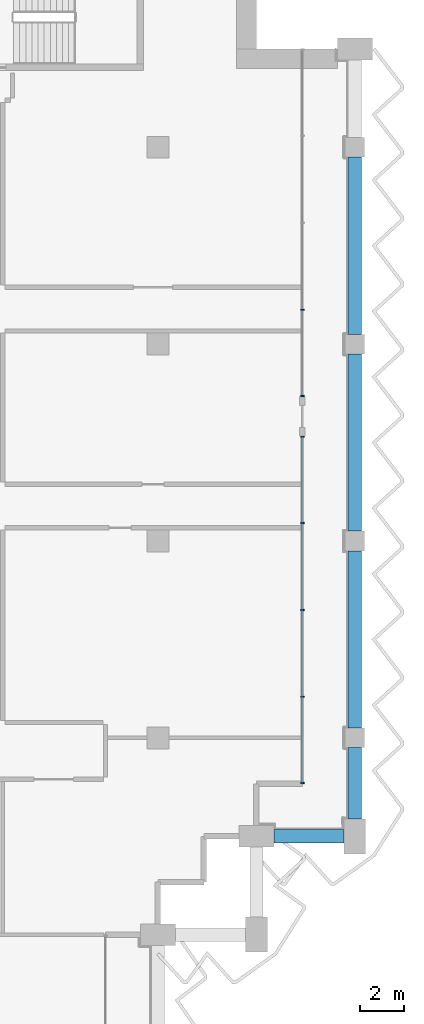
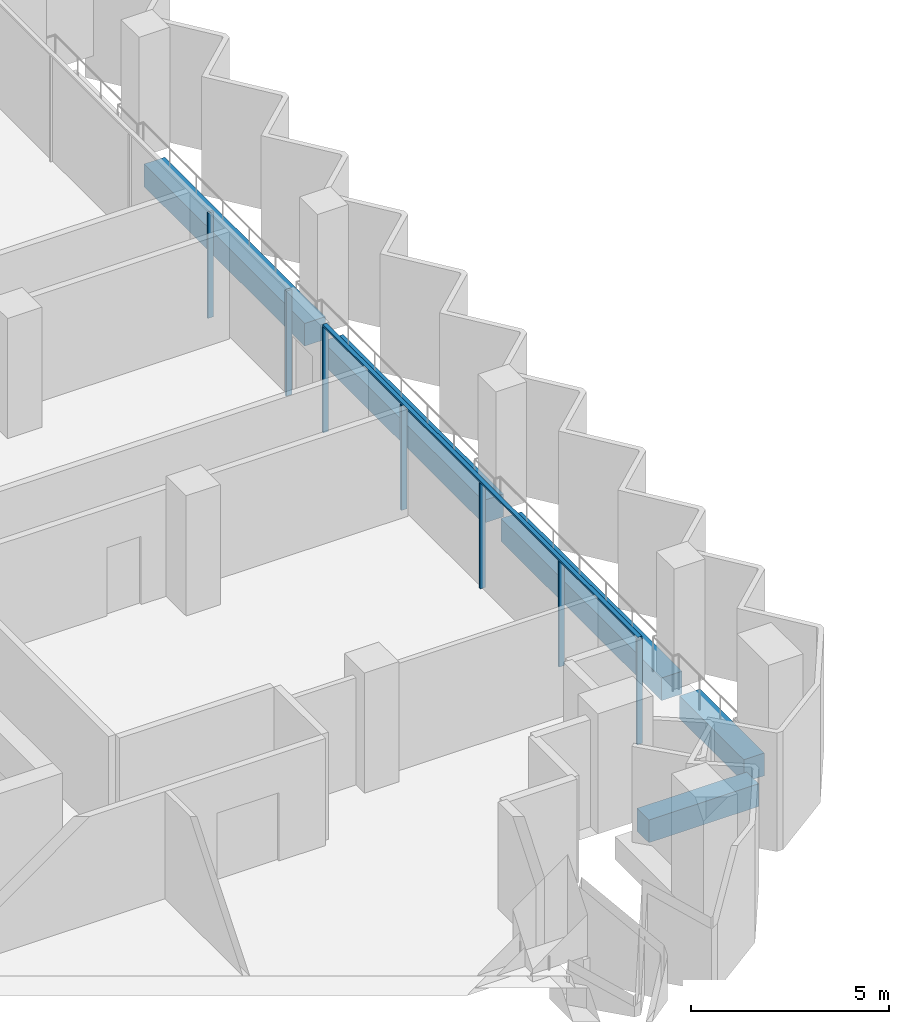
# One storey, part 4 of 16: 8 members, 5 beams, 2 elements without a shape of their own.
"""IFC4 building model written with IfcOpenShell, lengths in metres."""

from ifc_helpers import new_model, si_unit, direction, frame, origin, origin_2d, place, context, subcontext, project, spatial, rectangle, extrude, material, material_profile, profile_set, type_object, element, aggregate, save


model = new_model("IFC4")

# Units and contexts
model_context = context("Model", 3, precision=1e-05, world=origin(), true_north=direction((0.0, 1.0)))
body_context = subcontext(model_context, "Body", "Model", "MODEL_VIEW")
ifc_project = project(units=[si_unit("LENGTHUNIT", "METRE"), si_unit("AREAUNIT", "SQUARE_METRE"), si_unit("VOLUMEUNIT", "CUBIC_METRE"), si_unit("PLANEANGLEUNIT", "RADIAN"), si_unit("MASSUNIT", "GRAM", prefix="KILO")], contexts=[model_context])

# Site, building, storey
site_placement = place(None, origin())
site = spatial("IfcSite", under=ifc_project, at=site_placement, CompositionType="ELEMENT")
building_placement = place(site_placement, origin())
building = spatial("IfcBuilding", under=site, at=building_placement, Name="Hunhe Ridgeline Campus", CompositionType="ELEMENT")
storey_placement = place(building_placement, frame((0.0, 0.0, 242.89990234375)))
storey = spatial("IfcBuildingStorey", under=building, at=storey_placement, Name="L62", CompositionType="ELEMENT", Elevation=242.89990234375)

# Curtain wall, members
ifc_material_1 = material(Name="Aluminium 6063", Category="aluminium")
curtain_wall_type = type_object("IfcCurtainWallType", Name="Curtain wall CW-1", PredefinedType="NOTDEFINED", material=ifc_material_1)
curtain_wall_1_placement = place(storey_placement, origin())
curtain_wall_1 = element("IfcCurtainWall", 1, at=curtain_wall_1_placement, inside=storey, type_object=curtain_wall_type, Name="Curtain wall 12", PredefinedType="NOTDEFINED")
ifc_material_profile_1 = material_profile(ifc_material_1, rectangle(XDim=0.159912109375, YDim=0.06005859375, at=origin_2d()))
ifc_profile_set_1 = profile_set([ifc_material_profile_1], Name="Aluminium 6063")
member_type_1 = type_object("IfcMemberType", Name="CW-1 aluminium mullion", PredefinedType="MULLION", material=ifc_profile_set_1)
member_1_placement = place(storey_placement, frame((51.59912109375, 60.930908203125, 0.0), z_axis=(0.0, 0.0, 1.0), x_axis=(-1.0, 0.0, 0.0)))
member_1 = element("IfcMember", 2, at=member_1_placement, type_object=member_type_1, Name="CW-1 mullion 1", PredefinedType="MULLION", context=body_context, shape_type="SweptSolid", body=[
    extrude(rectangle(XDim=0.159912109375, YDim=0.06005859375, at=origin_2d()), origin(), (0.0, 0.0, 1.0), 3.239990234375),
])
member_2_placement = place(storey_placement, frame((51.59912109375, 64.8759765625, 0.0), z_axis=(0.0, 0.0, 1.0), x_axis=(-1.0, 0.0, 0.0)))
member_2 = element("IfcMember", 3, at=member_2_placement, type_object=member_type_1, Name="CW-1 mullion 2", PredefinedType="MULLION", context=body_context, shape_type="SweptSolid", body=[
    extrude(rectangle(XDim=0.159912109375, YDim=0.06005859375, at=origin_2d()), origin(), (0.0, 0.0, 1.0), 3.239990234375),
])
member_3_placement = place(storey_placement, frame((51.59912109375, 68.850830078125, 0.0), z_axis=(0.0, 0.0, 1.0), x_axis=(-1.0, 0.0, 0.0)))
member_3 = element("IfcMember", 4, at=member_3_placement, type_object=member_type_1, Name="CW-1 mullion 3", PredefinedType="MULLION", context=body_context, shape_type="SweptSolid", body=[
    extrude(rectangle(XDim=0.159912109375, YDim=0.06005859375, at=origin_2d()), origin(), (0.0, 0.0, 1.0), 3.239990234375),
])
member_4_placement = place(storey_placement, frame((51.59912109375, 72.82568359375, 0.0), z_axis=(0.0, 0.0, 1.0), x_axis=(-1.0, 0.0, 0.0)))
member_4 = element("IfcMember", 5, at=member_4_placement, type_object=member_type_1, Name="CW-1 mullion 4", PredefinedType="MULLION", context=body_context, shape_type="SweptSolid", body=[
    extrude(rectangle(XDim=0.159912109375, YDim=0.06005859375, at=origin_2d()), origin(), (0.0, 0.0, 1.0), 3.239990234375),
])
member_5_placement = place(storey_placement, frame((51.59912109375, 76.7705078125, 0.0), z_axis=(0.0, 0.0, 1.0), x_axis=(-1.0, 0.0, 0.0)))
member_5 = element("IfcMember", 6, at=member_5_placement, type_object=member_type_1, Name="CW-1 mullion 5", PredefinedType="MULLION", context=body_context, shape_type="SweptSolid", body=[
    extrude(rectangle(XDim=0.159912109375, YDim=0.06005859375, at=origin_2d()), origin(), (0.0, 0.0, 1.0), 3.239990234375),
])

curtain_wall_2_placement = place(storey_placement, origin())
curtain_wall_2 = element("IfcCurtainWall", 7, at=curtain_wall_2_placement, inside=storey, type_object=curtain_wall_type, Name="Curtain wall 13", PredefinedType="NOTDEFINED")
member_6_placement = place(storey_placement, frame((51.59912109375, 78.630615234375, 0.0), z_axis=(0.0, 0.0, 1.0), x_axis=(-1.0, 0.0, 0.0)))
member_6 = element("IfcMember", 8, at=member_6_placement, type_object=member_type_1, Name="CW-1 mullion 1", PredefinedType="MULLION", context=body_context, shape_type="SweptSolid", body=[
    extrude(rectangle(XDim=0.159912109375, YDim=0.06005859375, at=origin_2d()), origin(), (0.0, 0.0, 1.0), 3.239990234375),
])
member_7_placement = place(storey_placement, frame((51.59912109375, 82.575439453125, 0.0), z_axis=(0.0, 0.0, 1.0), x_axis=(-1.0, 0.0, 0.0)))
member_7 = element("IfcMember", 9, at=member_7_placement, type_object=member_type_1, Name="CW-1 mullion 2", PredefinedType="MULLION", context=body_context, shape_type="SweptSolid", body=[
    extrude(rectangle(XDim=0.159912109375, YDim=0.06005859375, at=origin_2d()), origin(), (0.0, 0.0, 1.0), 3.239990234375),
])
aggregate(curtain_wall_2, [member_6, member_7])

# Member
ifc_material_profile_2 = material_profile(ifc_material_1, rectangle(XDim=0.1201171875, YDim=0.06005859375, at=origin_2d()))
ifc_profile_set_2 = profile_set([ifc_material_profile_2], Name="Aluminium 6063")
member_type_2 = type_object("IfcMemberType", Name="CW-1 aluminium transom", PredefinedType="USERDEFINED", material=ifc_profile_set_2)
member_8_placement = place(storey_placement, frame((51.59912109375, 60.90087890625, 3.27001953125), z_axis=(0.0, 1.0, 0.0), x_axis=(-1.0, 0.0, 0.0)))
member_8 = element("IfcMember", 10, at=member_8_placement, type_object=member_type_2, Name="CW-1 transom 1", ObjectType="TRANSOM", PredefinedType="USERDEFINED", context=body_context, shape_type="SweptSolid", body=[
    extrude(rectangle(XDim=0.1201171875, YDim=0.06005859375, at=origin_2d()), origin(), (0.0, 0.0, 1.0), 15.899658203125),
])

aggregate(curtain_wall_1, [member_8, member_1, member_2, member_3, member_4, member_5])

# Beams
ifc_material_2 = material(Name="Concrete C50", Category="concrete")
ifc_material_profile_3 = material_profile(ifc_material_2, rectangle(XDim=0.60009765625, YDim=0.699951171875, at=origin_2d()))
ifc_profile_set_3 = profile_set([ifc_material_profile_3], Name="Concrete C50")
beam_type = type_object("IfcBeamType", Name="RC spandrel beam 600x700 Concrete C50", PredefinedType="SPANDREL", material=ifc_profile_set_3)
beam_1_placement = place(storey_placement, frame((50.300048828125, 58.5, -0.599853515625), z_axis=(1.0, 0.0, 0.0), x_axis=(0.0, 1.0, 0.0)))
element("IfcBeam", 11, at=beam_1_placement, inside=storey, type_object=beam_type, Name="Spandrel beam B4-12 L62", PredefinedType="SPANDREL", context=body_context, shape_type="SweptSolid", body=[
    extrude(rectangle(XDim=0.60009765625, YDim=0.699951171875, at=origin_2d()), origin(), (0.0, 0.0, 1.0), 3.199951171875),
])
beam_2_placement = place(storey_placement, frame((54.0, 59.300048828125, -0.599853515625), z_axis=(0.0, 1.0, 0.0), x_axis=(-1.0, 0.0, 0.0)))
element("IfcBeam", 12, at=beam_2_placement, inside=storey, type_object=beam_type, Name="Spandrel beam B4-13 L62", PredefinedType="SPANDREL", context=body_context, shape_type="SweptSolid", body=[
    extrude(rectangle(XDim=0.60009765625, YDim=0.699951171875, at=origin_2d()), origin(), (0.0, 0.0, 1.0), 3.25),
])
for number, where, z_axis, x_axis, name in (
    (13, (54.0, 63.449951171875, -0.599853515625), (0.0, 1.0, 0.0), (-1.0, 0.0, 0.0), "Spandrel beam B4-14 L62"),
    (14, (54.0, 72.449951171875, -0.599853515625), (0.0, 1.0, 0.0), (-1.0, 0.0, 0.0), "Spandrel beam B4-15 L62"),
    (15, (54.0, 81.449951171875, -0.599853515625), (0.0, 1.0, 0.0), (-1.0, 0.0, 0.0), "Spandrel beam B4-16 L62"),
):
    element("IfcBeam", number, at=place(storey_placement, frame(where, z_axis=z_axis, x_axis=x_axis)), inside=storey, type_object=beam_type, Name=name, PredefinedType="SPANDREL", context=body_context, shape_type="SweptSolid", body=[
        extrude(rectangle(XDim=0.60009765625, YDim=0.699951171875, at=origin_2d()), origin(), (0.0, 0.0, 1.0), 8.10009765625),
    ])

save(model, "model.ifc")
